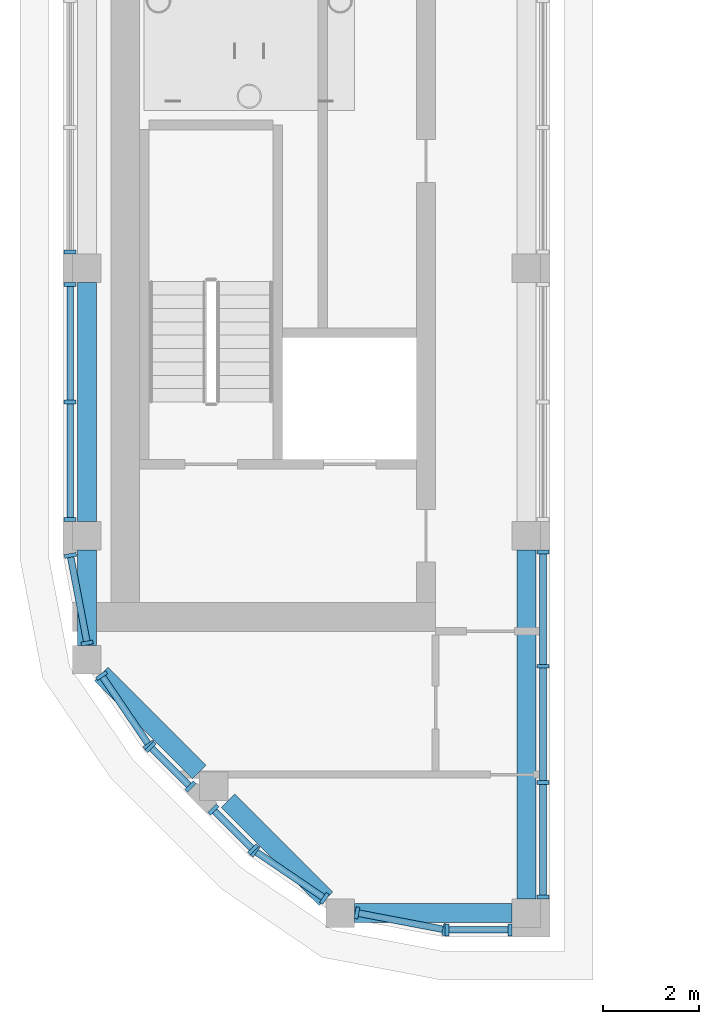
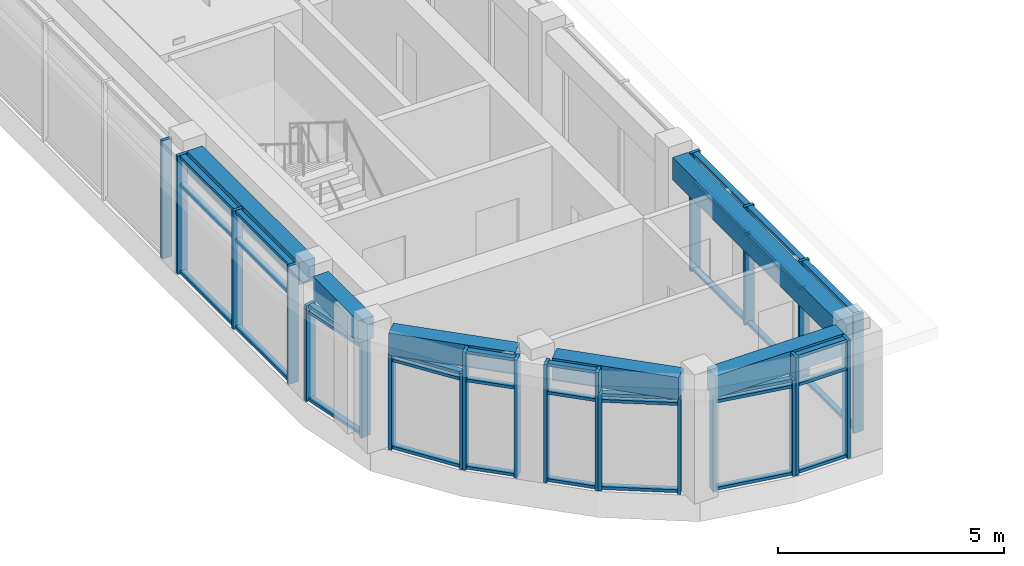
# One storey, part 2 of 16: 58 members, 6 beams, 10 elements without a shape of their own.
"""IFC4 building model written with IfcOpenShell, lengths in metres."""

from ifc_helpers import new_model, si_unit, direction, frame, origin, origin_2d, place, context, subcontext, project, spatial, rectangle, extrude, material, layer, layer_set, material_profile, profile_set, type_object, element, aggregate, save


model = new_model("IFC4")

# Units and contexts
model_context = context("Model", 3, precision=1e-05, world=origin(), true_north=direction((0.0, 1.0)))
body_context = subcontext(model_context, "Body", "Model", "MODEL_VIEW")
ifc_project = project(units=[si_unit("LENGTHUNIT", "METRE"), si_unit("AREAUNIT", "SQUARE_METRE"), si_unit("VOLUMEUNIT", "CUBIC_METRE"), si_unit("PLANEANGLEUNIT", "RADIAN"), si_unit("MASSUNIT", "GRAM", prefix="KILO")], contexts=[model_context])

# Site, building, storey
site_placement = place(None, origin())
site = spatial("IfcSite", under=ifc_project, at=site_placement, CompositionType="ELEMENT")
building_placement = place(site_placement, origin())
building = spatial("IfcBuilding", under=site, at=building_placement, Name="Kiln Ring Residences", CompositionType="ELEMENT")
storey_placement = place(building_placement, frame((0.0, 0.0, 313.89990234375)))
storey = spatial("IfcBuildingStorey", under=building, at=storey_placement, Name="L81 Crown", CompositionType="ELEMENT", Elevation=313.89990234375)

# Curtain wall, members
ifc_material_1 = material(Name="Aluminium and glass", Category="aluminium")
ifc_layer = layer(ifc_material_1, 0.25)
ifc_layer_set = layer_set([ifc_layer], Name="CW4 CURTAIN WALL")
curtain_wall_type = type_object("IfcCurtainWallType", Name="CW4 CURTAIN WALL", PredefinedType="NOTDEFINED", material=ifc_layer_set)
placement = place(storey_placement, origin())
curtain_wall_1 = element("IfcCurtainWall", 1, at=placement, inside=storey, type_object=curtain_wall_type, Name="Curtain wall CW4 L81 Crown", PredefinedType="NOTDEFINED")
ifc_material_2 = material(Name="Aluminium 6063-T6", Category="aluminium")
ifc_material_profile_1 = material_profile(ifc_material_2, rectangle(XDim=0.25, YDim=0.080078125, at=origin_2d()), Name="AL 250x80")
ifc_profile_set_1 = profile_set([ifc_material_profile_1], Name="Aluminium 6063-T6")
member_type_1 = type_object("IfcMemberType", Name="CW4 MULLION 250 x 80", PredefinedType="MULLION", material=ifc_profile_set_1)
member_1_placement = place(storey_placement, frame((-21.1796875, -17.80126953125, 0.0), z_axis=(0.0, 0.0, 1.0), x_axis=(0.56209665125, 0.827071553527, 0.0)))
member_1 = element("IfcMember", 2, at=member_1_placement, type_object=member_type_1, Name="CW4 mullion 1", PredefinedType="MULLION", context=body_context, shape_type="SweptSolid", body=[
    extrude(rectangle(XDim=0.25, YDim=0.080078125, at=origin_2d()), origin(), (0.0, 0.0, 1.0), 2.60009765625),
])
member_2_placement = place(storey_placement, frame((-19.72607421875, -18.789306640625, 0.0), z_axis=(0.0, 0.0, 1.0), x_axis=(0.56209665125, 0.827071553527, 0.0)))
member_2 = element("IfcMember", 3, at=member_2_placement, type_object=member_type_1, Name="CW4 mullion 2", PredefinedType="MULLION", context=body_context, shape_type="SweptSolid", body=[
    extrude(rectangle(XDim=0.25, YDim=0.080078125, at=origin_2d()), origin(), (0.0, 0.0, 1.0), 2.60009765625),
])

curtain_wall_2 = element("IfcCurtainWall", 4, at=placement, inside=storey, type_object=curtain_wall_type, Name="Curtain wall CW4 L81 Crown", PredefinedType="NOTDEFINED")
member_3_placement = place(storey_placement, frame((-19.0458984375, -19.09521484375, 0.0), z_axis=(0.0, 0.0, 1.0), x_axis=(0.187365550399, 0.982290257777, 0.0)))
member_3 = element("IfcMember", 5, at=member_3_placement, type_object=member_type_1, Name="CW4 mullion 1", PredefinedType="MULLION", context=body_context, shape_type="SweptSolid", body=[
    extrude(rectangle(XDim=0.25, YDim=0.080078125, at=origin_2d()), origin(), (0.0, 0.0, 1.0), 2.60009765625),
])
member_4_placement = place(storey_placement, frame((-17.211181640625, -19.445068359375, 0.0), z_axis=(0.0, 0.0, 1.0), x_axis=(0.187365550399, 0.982290257777, 0.0)))
member_4 = element("IfcMember", 6, at=member_4_placement, type_object=member_type_1, Name="CW4 mullion 2", PredefinedType="MULLION", context=body_context, shape_type="SweptSolid", body=[
    extrude(rectangle(XDim=0.25, YDim=0.080078125, at=origin_2d()), origin(), (0.0, 0.0, 1.0), 2.60009765625),
])

curtain_wall_3 = element("IfcCurtainWall", 7, at=placement, inside=storey, type_object=curtain_wall_type, Name="Curtain wall CW4 L81 Crown", PredefinedType="NOTDEFINED")
member_5_placement = place(storey_placement, frame((-17.159912109375, -19.449951171875, 0.0), z_axis=(0.0, 0.0, 1.0), x_axis=(0.0, 1.0, 0.0)))
member_5 = element("IfcMember", 8, at=member_5_placement, type_object=member_type_1, Name="CW4 mullion 1", PredefinedType="MULLION", context=body_context, shape_type="SweptSolid", body=[
    extrude(rectangle(XDim=0.25, YDim=0.080078125, at=origin_2d()), origin(), (0.0, 0.0, 1.0), 3.2001953125),
])
member_6_placement = place(storey_placement, frame((-15.840087890625, -19.449951171875, 0.0), z_axis=(0.0, 0.0, 1.0), x_axis=(0.0, 1.0, 0.0)))
member_6 = element("IfcMember", 9, at=member_6_placement, type_object=member_type_1, Name="CW4 mullion 2", PredefinedType="MULLION", context=body_context, shape_type="SweptSolid", body=[
    extrude(rectangle(XDim=0.25, YDim=0.080078125, at=origin_2d()), origin(), (0.0, 0.0, 1.0), 3.2001953125),
])

curtain_wall_4 = element("IfcCurtainWall", 10, at=placement, inside=storey, type_object=curtain_wall_type, Name="Curtain wall CW4 L81 Crown", PredefinedType="NOTDEFINED")
member_7_placement = place(storey_placement, frame((-15.14990234375, -18.760009765625, 0.0), z_axis=(0.0, 0.0, 1.0), x_axis=(-1.0, 0.0, 0.0)))
member_7 = element("IfcMember", 11, at=member_7_placement, type_object=member_type_1, Name="CW4 mullion 1", PredefinedType="MULLION", context=body_context, shape_type="SweptSolid", body=[
    extrude(rectangle(XDim=0.25, YDim=0.080078125, at=origin_2d()), origin(), (0.0, 0.0, 1.0), 3.2001953125),
])
member_8_placement = place(storey_placement, frame((-15.14990234375, -16.36669921875, 0.0), z_axis=(0.0, 0.0, 1.0), x_axis=(-1.0, 0.0, 0.0)))
member_8 = element("IfcMember", 12, at=member_8_placement, type_object=member_type_1, Name="CW4 mullion 2", PredefinedType="MULLION", context=body_context, shape_type="SweptSolid", body=[
    extrude(rectangle(XDim=0.25, YDim=0.080078125, at=origin_2d()), origin(), (0.0, 0.0, 1.0), 3.2001953125),
])
member_9_placement = place(storey_placement, frame((-15.14990234375, -13.933349609375, 0.0), z_axis=(0.0, 0.0, 1.0), x_axis=(-1.0, 0.0, 0.0)))
member_9 = element("IfcMember", 13, at=member_9_placement, type_object=member_type_1, Name="CW4 mullion 3", PredefinedType="MULLION", context=body_context, shape_type="SweptSolid", body=[
    extrude(rectangle(XDim=0.25, YDim=0.080078125, at=origin_2d()), origin(), (0.0, 0.0, 1.0), 3.2001953125),
])
member_10_placement = place(storey_placement, frame((-15.14990234375, -11.5400390625, 0.0), z_axis=(0.0, 0.0, 1.0), x_axis=(-1.0, 0.0, 0.0)))
member_10 = element("IfcMember", 14, at=member_10_placement, type_object=member_type_1, Name="CW4 mullion 4", PredefinedType="MULLION", context=body_context, shape_type="SweptSolid", body=[
    extrude(rectangle(XDim=0.25, YDim=0.080078125, at=origin_2d()), origin(), (0.0, 0.0, 1.0), 3.2001953125),
])

# Curtain wall, member
curtain_wall_5 = element("IfcCurtainWall", 15, at=placement, inside=storey, type_object=curtain_wall_type, Name="Curtain wall CW4 L81 Crown", PredefinedType="NOTDEFINED")
member_11_placement = place(storey_placement, frame((-25.050048828125, -5.260009765625, 0.0), z_axis=(0.0, 0.0, 1.0), x_axis=(1.0, 0.0, 0.0)))
member_11 = element("IfcMember", 16, at=member_11_placement, type_object=member_type_1, Name="CW4 mullion 5", PredefinedType="MULLION", context=body_context, shape_type="SweptSolid", body=[
    extrude(rectangle(XDim=0.25, YDim=0.080078125, at=origin_2d()), origin(), (0.0, 0.0, 1.0), 3.2001953125),
])
aggregate(curtain_wall_5, [member_11])

# Curtain wall, members
curtain_wall_6 = element("IfcCurtainWall", 17, at=placement, inside=storey, type_object=curtain_wall_type, Name="Curtain wall CW4 L81 Crown", PredefinedType="NOTDEFINED")
member_12_placement = place(storey_placement, frame((-25.050048828125, -5.93994140625, 0.0), z_axis=(0.0, 0.0, 1.0), x_axis=(1.0, 0.0, 0.0)))
member_12 = element("IfcMember", 18, at=member_12_placement, type_object=member_type_1, Name="CW4 mullion 1", PredefinedType="MULLION", context=body_context, shape_type="SweptSolid", body=[
    extrude(rectangle(XDim=0.25, YDim=0.080078125, at=origin_2d()), origin(), (0.0, 0.0, 1.0), 3.2001953125),
])
member_13_placement = place(storey_placement, frame((-25.050048828125, -8.39990234375, 0.0), z_axis=(0.0, 0.0, 1.0), x_axis=(1.0, 0.0, 0.0)))
member_13 = element("IfcMember", 19, at=member_13_placement, type_object=member_type_1, Name="CW4 mullion 2", PredefinedType="MULLION", context=body_context, shape_type="SweptSolid", body=[
    extrude(rectangle(XDim=0.25, YDim=0.080078125, at=origin_2d()), origin(), (0.0, 0.0, 1.0), 3.2001953125),
])
member_14_placement = place(storey_placement, frame((-25.050048828125, -10.860107421875, 0.0), z_axis=(0.0, 0.0, 1.0), x_axis=(1.0, 0.0, 0.0)))
member_14 = element("IfcMember", 20, at=member_14_placement, type_object=member_type_1, Name="CW4 mullion 3", PredefinedType="MULLION", context=body_context, shape_type="SweptSolid", body=[
    extrude(rectangle(XDim=0.25, YDim=0.080078125, at=origin_2d()), origin(), (0.0, 0.0, 1.0), 3.2001953125),
])

curtain_wall_7 = element("IfcCurtainWall", 21, at=placement, inside=storey, type_object=curtain_wall_type, Name="Curtain wall CW4 L81 Crown", PredefinedType="NOTDEFINED")
member_15_placement = place(storey_placement, frame((-25.044921875, -11.612060546875, 0.0), z_axis=(0.0, 0.0, 1.0), x_axis=(0.982290257774, 0.187365550416, 0.0)))
member_15 = element("IfcMember", 22, at=member_15_placement, type_object=member_type_1, Name="CW4 mullion 1", PredefinedType="MULLION", context=body_context, shape_type="SweptSolid", body=[
    extrude(rectangle(XDim=0.25, YDim=0.080078125, at=origin_2d()), origin(), (0.0, 0.0, 1.0), 2.60009765625),
])
member_16_placement = place(storey_placement, frame((-24.6953125, -13.44580078125, 0.0), z_axis=(0.0, 0.0, 1.0), x_axis=(0.982290257774, 0.187365550416, 0.0)))
member_16 = element("IfcMember", 23, at=member_16_placement, type_object=member_type_1, Name="CW4 mullion 2", PredefinedType="MULLION", context=body_context, shape_type="SweptSolid", body=[
    extrude(rectangle(XDim=0.25, YDim=0.080078125, at=origin_2d()), origin(), (0.0, 0.0, 1.0), 2.60009765625),
])

curtain_wall_8 = element("IfcCurtainWall", 24, at=placement, inside=storey, type_object=curtain_wall_type, Name="Curtain wall CW4 L81 Crown", PredefinedType="NOTDEFINED")
member_17_placement = place(storey_placement, frame((-24.389404296875, -14.1259765625, 0.0), z_axis=(0.0, 0.0, 1.0), x_axis=(0.827071553527, 0.56209665125, 0.0)))
member_17 = element("IfcMember", 25, at=member_17_placement, type_object=member_type_1, Name="CW4 mullion 1", PredefinedType="MULLION", context=body_context, shape_type="SweptSolid", body=[
    extrude(rectangle(XDim=0.25, YDim=0.080078125, at=origin_2d()), origin(), (0.0, 0.0, 1.0), 2.60009765625),
])
member_18_placement = place(storey_placement, frame((-23.4013671875, -15.57958984375, 0.0), z_axis=(0.0, 0.0, 1.0), x_axis=(0.827071553527, 0.56209665125, 0.0)))
member_18 = element("IfcMember", 26, at=member_18_placement, type_object=member_type_1, Name="CW4 mullion 2", PredefinedType="MULLION", context=body_context, shape_type="SweptSolid", body=[
    extrude(rectangle(XDim=0.25, YDim=0.080078125, at=origin_2d()), origin(), (0.0, 0.0, 1.0), 2.60009765625),
])

curtain_wall_9 = element("IfcCurtainWall", 27, at=placement, inside=storey, type_object=curtain_wall_type, Name="Curtain wall CW4 L81 Crown", PredefinedType="NOTDEFINED")
member_19_placement = place(storey_placement, frame((-23.36865234375, -15.619384765625, 0.0), z_axis=(0.0, 0.0, 1.0), x_axis=(0.707106780792, 0.707106781581, 0.0)))
member_19 = element("IfcMember", 28, at=member_19_placement, type_object=member_type_1, Name="CW4 mullion 1", PredefinedType="MULLION", context=body_context, shape_type="SweptSolid", body=[
    extrude(rectangle(XDim=0.25, YDim=0.080078125, at=origin_2d()), origin(), (0.0, 0.0, 1.0), 3.2001953125),
])
member_20_placement = place(storey_placement, frame((-22.534423828125, -16.45361328125, 0.0), z_axis=(0.0, 0.0, 1.0), x_axis=(0.707106780792, 0.707106781581, 0.0)))
member_20 = element("IfcMember", 29, at=member_20_placement, type_object=member_type_1, Name="CW4 mullion 2", PredefinedType="MULLION", context=body_context, shape_type="SweptSolid", body=[
    extrude(rectangle(XDim=0.25, YDim=0.080078125, at=origin_2d()), origin(), (0.0, 0.0, 1.0), 3.2001953125),
])

curtain_wall_10 = element("IfcCurtainWall", 30, at=placement, inside=storey, type_object=curtain_wall_type, Name="Curtain wall CW4 L81 Crown", PredefinedType="NOTDEFINED")
member_21_placement = place(storey_placement, frame((-22.053466796875, -16.934326171875, 0.0), z_axis=(0.0, 0.0, 1.0), x_axis=(0.707106781581, 0.707106780792, 0.0)))
member_21 = element("IfcMember", 31, at=member_21_placement, type_object=member_type_1, Name="CW4 mullion 1", PredefinedType="MULLION", context=body_context, shape_type="SweptSolid", body=[
    extrude(rectangle(XDim=0.25, YDim=0.080078125, at=origin_2d()), origin(), (0.0, 0.0, 1.0), 3.2001953125),
])
member_22_placement = place(storey_placement, frame((-21.21923828125, -17.7685546875, 0.0), z_axis=(0.0, 0.0, 1.0), x_axis=(0.707106781581, 0.707106780792, 0.0)))
member_22 = element("IfcMember", 32, at=member_22_placement, type_object=member_type_1, Name="CW4 mullion 2", PredefinedType="MULLION", context=body_context, shape_type="SweptSolid", body=[
    extrude(rectangle(XDim=0.25, YDim=0.080078125, at=origin_2d()), origin(), (0.0, 0.0, 1.0), 3.2001953125),
])

# Member
ifc_material_3 = material(Name="Aluminium 6063-T6", Category="aluminium")
ifc_material_profile_2 = material_profile(ifc_material_3, rectangle(XDim=0.139892578125, YDim=0.080078125, at=origin_2d()), Name="AL 140x80")
ifc_profile_set_2 = profile_set([ifc_material_profile_2], Name="Aluminium 6063-T6")
member_type_2 = type_object("IfcMemberType", Name="CW4 TRANSOM 140 x 80", PredefinedType="USERDEFINED", material=ifc_profile_set_2)
member_23_placement = place(storey_placement, frame((-21.146484375, -17.82373046875, 0.0400390625), z_axis=(0.827023931532, -0.562166716085, 0.0), x_axis=(0.562166716085, 0.827023931532, 0.0)))
member_23 = element("IfcMember", 33, at=member_23_placement, type_object=member_type_2, Name="CW4 transom 1.1", ObjectType="TRANSOM", PredefinedType="USERDEFINED", context=body_context, shape_type="SweptSolid", body=[
    extrude(rectangle(XDim=0.139892578125, YDim=0.080078125, at=origin_2d()), origin(), (0.0, 0.0, 1.0), 1.677734375),
])

member_24_placement = place(storey_placement, frame((-21.146484375, -17.82373046875, 2.400146484375), z_axis=(0.827023931532, -0.562166716085, 0.0), x_axis=(0.562166716085, 0.827023931532, 0.0)))
member_24 = element("IfcMember", 34, at=member_24_placement, type_object=member_type_2, Name="CW4 transom 1.2", ObjectType="TRANSOM", PredefinedType="USERDEFINED", context=body_context, shape_type="SweptSolid", body=[
    extrude(rectangle(XDim=0.139892578125, YDim=0.080078125, at=origin_2d()), origin(), (0.0, 0.0, 1.0), 1.677734375),
])

member_25_placement = place(storey_placement, frame((-21.146484375, -17.82373046875, 2.56005859375), z_axis=(0.827023931532, -0.562166716085, 0.0), x_axis=(0.562166716085, 0.827023931532, 0.0)))
member_25 = element("IfcMember", 35, at=member_25_placement, type_object=member_type_2, Name="CW4 transom 1.3", ObjectType="TRANSOM", PredefinedType="USERDEFINED", context=body_context, shape_type="SweptSolid", body=[
    extrude(rectangle(XDim=0.139892578125, YDim=0.080078125, at=origin_2d()), origin(), (0.0, 0.0, 1.0), 1.677734375),
])

aggregate(curtain_wall_1, [member_1, member_2, member_23, member_24, member_25])

member_26_placement = place(storey_placement, frame((-19.006591796875, -19.102783203125, 0.0400390625), z_axis=(0.982290722699, -0.187363112963, 0.0), x_axis=(0.187363112963, 0.982290722699, 0.0)))
member_26 = element("IfcMember", 36, at=member_26_placement, type_object=member_type_2, Name="CW4 transom 1.1", ObjectType="TRANSOM", PredefinedType="USERDEFINED", context=body_context, shape_type="SweptSolid", body=[
    extrude(rectangle(XDim=0.139892578125, YDim=0.080078125, at=origin_2d()), origin(), (0.0, 0.0, 1.0), 1.787841796875),
])

member_27_placement = place(storey_placement, frame((-19.006591796875, -19.102783203125, 2.400146484375), z_axis=(0.982290722699, -0.187363112963, 0.0), x_axis=(0.187363112963, 0.982290722699, 0.0)))
member_27 = element("IfcMember", 37, at=member_27_placement, type_object=member_type_2, Name="CW4 transom 1.2", ObjectType="TRANSOM", PredefinedType="USERDEFINED", context=body_context, shape_type="SweptSolid", body=[
    extrude(rectangle(XDim=0.139892578125, YDim=0.080078125, at=origin_2d()), origin(), (0.0, 0.0, 1.0), 1.787841796875),
])

member_28_placement = place(storey_placement, frame((-19.006591796875, -19.102783203125, 2.56005859375), z_axis=(0.982290722699, -0.187363112963, 0.0), x_axis=(0.187363112963, 0.982290722699, 0.0)))
member_28 = element("IfcMember", 38, at=member_28_placement, type_object=member_type_2, Name="CW4 transom 1.3", ObjectType="TRANSOM", PredefinedType="USERDEFINED", context=body_context, shape_type="SweptSolid", body=[
    extrude(rectangle(XDim=0.139892578125, YDim=0.080078125, at=origin_2d()), origin(), (0.0, 0.0, 1.0), 1.787841796875),
])

aggregate(curtain_wall_2, [member_3, member_4, member_26, member_27, member_28])

member_29_placement = place(storey_placement, frame((-17.1201171875, -19.449951171875, 0.0400390625), z_axis=(1.0, 0.0, 0.0), x_axis=(0.0, 1.0, 0.0)))
member_29 = element("IfcMember", 39, at=member_29_placement, type_object=member_type_2, Name="CW4 transom 1.1", ObjectType="TRANSOM", PredefinedType="USERDEFINED", context=body_context, shape_type="SweptSolid", body=[
    extrude(rectangle(XDim=0.139892578125, YDim=0.080078125, at=origin_2d()), origin(), (0.0, 0.0, 1.0), 1.240234375),
])

member_30_placement = place(storey_placement, frame((-17.1201171875, -19.449951171875, 2.400146484375), z_axis=(1.0, 0.0, 0.0), x_axis=(0.0, 1.0, 0.0)))
member_30 = element("IfcMember", 40, at=member_30_placement, type_object=member_type_2, Name="CW4 transom 1.2", ObjectType="TRANSOM", PredefinedType="USERDEFINED", context=body_context, shape_type="SweptSolid", body=[
    extrude(rectangle(XDim=0.139892578125, YDim=0.080078125, at=origin_2d()), origin(), (0.0, 0.0, 1.0), 1.240234375),
])

member_31_placement = place(storey_placement, frame((-17.1201171875, -19.449951171875, 3.16015625), z_axis=(1.0, 0.0, 0.0), x_axis=(0.0, 1.0, 0.0)))
member_31 = element("IfcMember", 41, at=member_31_placement, type_object=member_type_2, Name="CW4 transom 1.3", ObjectType="TRANSOM", PredefinedType="USERDEFINED", context=body_context, shape_type="SweptSolid", body=[
    extrude(rectangle(XDim=0.139892578125, YDim=0.080078125, at=origin_2d()), origin(), (0.0, 0.0, 1.0), 1.240234375),
])

aggregate(curtain_wall_3, [member_5, member_6, member_29, member_30, member_31])

member_32_placement = place(storey_placement, frame((-15.14990234375, -18.719970703125, 0.0400390625), z_axis=(0.0, 1.0, 0.0), x_axis=(-1.0, 0.0, 0.0)))
member_32 = element("IfcMember", 42, at=member_32_placement, type_object=member_type_2, Name="CW4 transom 1.1", ObjectType="TRANSOM", PredefinedType="USERDEFINED", context=body_context, shape_type="SweptSolid", body=[
    extrude(rectangle(XDim=0.139892578125, YDim=0.080078125, at=origin_2d()), origin(), (0.0, 0.0, 1.0), 2.313232421875),
])

member_33_placement = place(storey_placement, frame((-15.14990234375, -18.719970703125, 2.400146484375), z_axis=(0.0, 1.0, 0.0), x_axis=(-1.0, 0.0, 0.0)))
member_33 = element("IfcMember", 43, at=member_33_placement, type_object=member_type_2, Name="CW4 transom 1.2", ObjectType="TRANSOM", PredefinedType="USERDEFINED", context=body_context, shape_type="SweptSolid", body=[
    extrude(rectangle(XDim=0.139892578125, YDim=0.080078125, at=origin_2d()), origin(), (0.0, 0.0, 1.0), 2.313232421875),
])

member_34_placement = place(storey_placement, frame((-15.14990234375, -18.719970703125, 3.16015625), z_axis=(0.0, 1.0, 0.0), x_axis=(-1.0, 0.0, 0.0)))
member_34 = element("IfcMember", 44, at=member_34_placement, type_object=member_type_2, Name="CW4 transom 1.3", ObjectType="TRANSOM", PredefinedType="USERDEFINED", context=body_context, shape_type="SweptSolid", body=[
    extrude(rectangle(XDim=0.139892578125, YDim=0.080078125, at=origin_2d()), origin(), (0.0, 0.0, 1.0), 2.313232421875),
])

member_35_placement = place(storey_placement, frame((-15.14990234375, -16.32666015625, 0.0400390625), z_axis=(0.0, 1.0, 0.0), x_axis=(-1.0, 0.0, 0.0)))
member_35 = element("IfcMember", 45, at=member_35_placement, type_object=member_type_2, Name="CW4 transom 2.1", ObjectType="TRANSOM", PredefinedType="USERDEFINED", context=body_context, shape_type="SweptSolid", body=[
    extrude(rectangle(XDim=0.139892578125, YDim=0.080078125, at=origin_2d()), origin(), (0.0, 0.0, 1.0), 2.353271484375),
])

member_36_placement = place(storey_placement, frame((-15.14990234375, -16.32666015625, 2.400146484375), z_axis=(0.0, 1.0, 0.0), x_axis=(-1.0, 0.0, 0.0)))
member_36 = element("IfcMember", 46, at=member_36_placement, type_object=member_type_2, Name="CW4 transom 2.2", ObjectType="TRANSOM", PredefinedType="USERDEFINED", context=body_context, shape_type="SweptSolid", body=[
    extrude(rectangle(XDim=0.139892578125, YDim=0.080078125, at=origin_2d()), origin(), (0.0, 0.0, 1.0), 2.353271484375),
])

member_37_placement = place(storey_placement, frame((-15.14990234375, -16.32666015625, 3.16015625), z_axis=(0.0, 1.0, 0.0), x_axis=(-1.0, 0.0, 0.0)))
member_37 = element("IfcMember", 47, at=member_37_placement, type_object=member_type_2, Name="CW4 transom 2.3", ObjectType="TRANSOM", PredefinedType="USERDEFINED", context=body_context, shape_type="SweptSolid", body=[
    extrude(rectangle(XDim=0.139892578125, YDim=0.080078125, at=origin_2d()), origin(), (0.0, 0.0, 1.0), 2.353271484375),
])

member_38_placement = place(storey_placement, frame((-15.14990234375, -13.893310546875, 0.0400390625), z_axis=(0.0, 1.0, 0.0), x_axis=(-1.0, 0.0, 0.0)))
member_38 = element("IfcMember", 48, at=member_38_placement, type_object=member_type_2, Name="CW4 transom 3.1", ObjectType="TRANSOM", PredefinedType="USERDEFINED", context=body_context, shape_type="SweptSolid", body=[
    extrude(rectangle(XDim=0.139892578125, YDim=0.080078125, at=origin_2d()), origin(), (0.0, 0.0, 1.0), 2.313232421875),
])

member_39_placement = place(storey_placement, frame((-15.14990234375, -13.893310546875, 2.400146484375), z_axis=(0.0, 1.0, 0.0), x_axis=(-1.0, 0.0, 0.0)))
member_39 = element("IfcMember", 49, at=member_39_placement, type_object=member_type_2, Name="CW4 transom 3.2", ObjectType="TRANSOM", PredefinedType="USERDEFINED", context=body_context, shape_type="SweptSolid", body=[
    extrude(rectangle(XDim=0.139892578125, YDim=0.080078125, at=origin_2d()), origin(), (0.0, 0.0, 1.0), 2.313232421875),
])

member_40_placement = place(storey_placement, frame((-15.14990234375, -13.893310546875, 3.16015625), z_axis=(0.0, 1.0, 0.0), x_axis=(-1.0, 0.0, 0.0)))
member_40 = element("IfcMember", 50, at=member_40_placement, type_object=member_type_2, Name="CW4 transom 3.3", ObjectType="TRANSOM", PredefinedType="USERDEFINED", context=body_context, shape_type="SweptSolid", body=[
    extrude(rectangle(XDim=0.139892578125, YDim=0.080078125, at=origin_2d()), origin(), (0.0, 0.0, 1.0), 2.313232421875),
])

aggregate(curtain_wall_4, [member_7, member_8, member_9, member_10, member_32, member_33, member_34, member_35, member_36, member_37, member_38, member_39, member_40])

member_41_placement = place(storey_placement, frame((-25.050048828125, -5.97998046875, 0.0400390625), z_axis=(0.0, -1.0, 0.0), x_axis=(1.0, 0.0, 0.0)))
member_41 = element("IfcMember", 51, at=member_41_placement, type_object=member_type_2, Name="CW4 transom 1.1", ObjectType="TRANSOM", PredefinedType="USERDEFINED", context=body_context, shape_type="SweptSolid", body=[
    extrude(rectangle(XDim=0.139892578125, YDim=0.080078125, at=origin_2d()), origin(), (0.0, 0.0, 1.0), 2.380126953125),
])

member_42_placement = place(storey_placement, frame((-25.050048828125, -5.97998046875, 2.400146484375), z_axis=(0.0, -1.0, 0.0), x_axis=(1.0, 0.0, 0.0)))
member_42 = element("IfcMember", 52, at=member_42_placement, type_object=member_type_2, Name="CW4 transom 1.2", ObjectType="TRANSOM", PredefinedType="USERDEFINED", context=body_context, shape_type="SweptSolid", body=[
    extrude(rectangle(XDim=0.139892578125, YDim=0.080078125, at=origin_2d()), origin(), (0.0, 0.0, 1.0), 2.380126953125),
])

member_43_placement = place(storey_placement, frame((-25.050048828125, -5.97998046875, 3.16015625), z_axis=(0.0, -1.0, 0.0), x_axis=(1.0, 0.0, 0.0)))
member_43 = element("IfcMember", 53, at=member_43_placement, type_object=member_type_2, Name="CW4 transom 1.3", ObjectType="TRANSOM", PredefinedType="USERDEFINED", context=body_context, shape_type="SweptSolid", body=[
    extrude(rectangle(XDim=0.139892578125, YDim=0.080078125, at=origin_2d()), origin(), (0.0, 0.0, 1.0), 2.380126953125),
])

member_44_placement = place(storey_placement, frame((-25.050048828125, -8.43994140625, 0.0400390625), z_axis=(0.0, -1.0, 0.0), x_axis=(1.0, 0.0, 0.0)))
member_44 = element("IfcMember", 54, at=member_44_placement, type_object=member_type_2, Name="CW4 transom 2.1", ObjectType="TRANSOM", PredefinedType="USERDEFINED", context=body_context, shape_type="SweptSolid", body=[
    extrude(rectangle(XDim=0.139892578125, YDim=0.080078125, at=origin_2d()), origin(), (0.0, 0.0, 1.0), 2.380126953125),
])

member_45_placement = place(storey_placement, frame((-25.050048828125, -8.43994140625, 2.400146484375), z_axis=(0.0, -1.0, 0.0), x_axis=(1.0, 0.0, 0.0)))
member_45 = element("IfcMember", 55, at=member_45_placement, type_object=member_type_2, Name="CW4 transom 2.2", ObjectType="TRANSOM", PredefinedType="USERDEFINED", context=body_context, shape_type="SweptSolid", body=[
    extrude(rectangle(XDim=0.139892578125, YDim=0.080078125, at=origin_2d()), origin(), (0.0, 0.0, 1.0), 2.380126953125),
])

member_46_placement = place(storey_placement, frame((-25.050048828125, -8.43994140625, 3.16015625), z_axis=(0.0, -1.0, 0.0), x_axis=(1.0, 0.0, 0.0)))
member_46 = element("IfcMember", 56, at=member_46_placement, type_object=member_type_2, Name="CW4 transom 2.3", ObjectType="TRANSOM", PredefinedType="USERDEFINED", context=body_context, shape_type="SweptSolid", body=[
    extrude(rectangle(XDim=0.139892578125, YDim=0.080078125, at=origin_2d()), origin(), (0.0, 0.0, 1.0), 2.380126953125),
])

aggregate(curtain_wall_6, [member_12, member_13, member_14, member_41, member_42, member_43, member_44, member_45, member_46])

member_47_placement = place(storey_placement, frame((-25.03759765625, -11.651123046875, 0.0400390625), z_axis=(0.187438543465, -0.982276332008, 0.0), x_axis=(0.982276332008, 0.187438543465, 0.0)))
member_47 = element("IfcMember", 57, at=member_47_placement, type_object=member_type_2, Name="CW4 transom 1.1", ObjectType="TRANSOM", PredefinedType="USERDEFINED", context=body_context, shape_type="SweptSolid", body=[
    extrude(rectangle(XDim=0.139892578125, YDim=0.080078125, at=origin_2d()), origin(), (0.0, 0.0, 1.0), 1.787109375),
])

member_48_placement = place(storey_placement, frame((-25.03759765625, -11.651123046875, 2.400146484375), z_axis=(0.187438543465, -0.982276332008, 0.0), x_axis=(0.982276332008, 0.187438543465, 0.0)))
member_48 = element("IfcMember", 58, at=member_48_placement, type_object=member_type_2, Name="CW4 transom 1.2", ObjectType="TRANSOM", PredefinedType="USERDEFINED", context=body_context, shape_type="SweptSolid", body=[
    extrude(rectangle(XDim=0.139892578125, YDim=0.080078125, at=origin_2d()), origin(), (0.0, 0.0, 1.0), 1.787109375),
])

member_49_placement = place(storey_placement, frame((-25.03759765625, -11.651123046875, 2.56005859375), z_axis=(0.187438543465, -0.982276332008, 0.0), x_axis=(0.982276332008, 0.187438543465, 0.0)))
member_49 = element("IfcMember", 59, at=member_49_placement, type_object=member_type_2, Name="CW4 transom 1.3", ObjectType="TRANSOM", PredefinedType="USERDEFINED", context=body_context, shape_type="SweptSolid", body=[
    extrude(rectangle(XDim=0.139892578125, YDim=0.080078125, at=origin_2d()), origin(), (0.0, 0.0, 1.0), 1.787109375),
])

aggregate(curtain_wall_7, [member_15, member_16, member_47, member_48, member_49])

member_50_placement = place(storey_placement, frame((-24.366943359375, -14.1591796875, 0.0400390625), z_axis=(0.562166716085, -0.827023931532, 0.0), x_axis=(0.827023931532, 0.562166716085, 0.0)))
member_50 = element("IfcMember", 60, at=member_50_placement, type_object=member_type_2, Name="CW4 transom 1.1", ObjectType="TRANSOM", PredefinedType="USERDEFINED", context=body_context, shape_type="SweptSolid", body=[
    extrude(rectangle(XDim=0.139892578125, YDim=0.080078125, at=origin_2d()), origin(), (0.0, 0.0, 1.0), 1.677734375),
])

member_51_placement = place(storey_placement, frame((-24.366943359375, -14.1591796875, 2.400146484375), z_axis=(0.562166716085, -0.827023931532, 0.0), x_axis=(0.827023931532, 0.562166716085, 0.0)))
member_51 = element("IfcMember", 61, at=member_51_placement, type_object=member_type_2, Name="CW4 transom 1.2", ObjectType="TRANSOM", PredefinedType="USERDEFINED", context=body_context, shape_type="SweptSolid", body=[
    extrude(rectangle(XDim=0.139892578125, YDim=0.080078125, at=origin_2d()), origin(), (0.0, 0.0, 1.0), 1.677734375),
])

member_52_placement = place(storey_placement, frame((-24.366943359375, -14.1591796875, 2.56005859375), z_axis=(0.562166716085, -0.827023931532, 0.0), x_axis=(0.827023931532, 0.562166716085, 0.0)))
member_52 = element("IfcMember", 62, at=member_52_placement, type_object=member_type_2, Name="CW4 transom 1.3", ObjectType="TRANSOM", PredefinedType="USERDEFINED", context=body_context, shape_type="SweptSolid", body=[
    extrude(rectangle(XDim=0.139892578125, YDim=0.080078125, at=origin_2d()), origin(), (0.0, 0.0, 1.0), 1.677734375),
])

aggregate(curtain_wall_8, [member_17, member_18, member_50, member_51, member_52])

member_53_placement = place(storey_placement, frame((-23.34033203125, -15.6474609375, 0.0400390625), z_axis=(0.706995784127, -0.707217760825, 0.0), x_axis=(0.707217760825, 0.706995784127, 0.0)))
member_53 = element("IfcMember", 63, at=member_53_placement, type_object=member_type_2, Name="CW4 transom 1.1", ObjectType="TRANSOM", PredefinedType="USERDEFINED", context=body_context, shape_type="SweptSolid", body=[
    extrude(rectangle(XDim=0.139892578125, YDim=0.080078125, at=origin_2d()), origin(), (0.0, 0.0, 1.0), 1.099853515625),
])

member_54_placement = place(storey_placement, frame((-23.34033203125, -15.6474609375, 2.400146484375), z_axis=(0.706995784127, -0.707217760825, 0.0), x_axis=(0.707217760825, 0.706995784127, 0.0)))
member_54 = element("IfcMember", 64, at=member_54_placement, type_object=member_type_2, Name="CW4 transom 1.2", ObjectType="TRANSOM", PredefinedType="USERDEFINED", context=body_context, shape_type="SweptSolid", body=[
    extrude(rectangle(XDim=0.139892578125, YDim=0.080078125, at=origin_2d()), origin(), (0.0, 0.0, 1.0), 1.099853515625),
])

member_55_placement = place(storey_placement, frame((-23.34033203125, -15.6474609375, 3.16015625), z_axis=(0.706995784127, -0.707217760825, 0.0), x_axis=(0.707217760825, 0.706995784127, 0.0)))
member_55 = element("IfcMember", 65, at=member_55_placement, type_object=member_type_2, Name="CW4 transom 1.3", ObjectType="TRANSOM", PredefinedType="USERDEFINED", context=body_context, shape_type="SweptSolid", body=[
    extrude(rectangle(XDim=0.139892578125, YDim=0.080078125, at=origin_2d()), origin(), (0.0, 0.0, 1.0), 1.099853515625),
])

aggregate(curtain_wall_9, [member_19, member_20, member_53, member_54, member_55])

member_56_placement = place(storey_placement, frame((-22.025146484375, -16.962646484375, 0.0400390625), z_axis=(0.707106781187, -0.707106781187, 0.0), x_axis=(0.707106781187, 0.707106781187, 0.0)))
member_56 = element("IfcMember", 66, at=member_56_placement, type_object=member_type_2, Name="CW4 transom 1.1", ObjectType="TRANSOM", PredefinedType="USERDEFINED", context=body_context, shape_type="SweptSolid", body=[
    extrude(rectangle(XDim=0.139892578125, YDim=0.080078125, at=origin_2d()), origin(), (0.0, 0.0, 1.0), 1.099609375),
])

member_57_placement = place(storey_placement, frame((-22.025146484375, -16.962646484375, 2.400146484375), z_axis=(0.707106781187, -0.707106781187, 0.0), x_axis=(0.707106781187, 0.707106781187, 0.0)))
member_57 = element("IfcMember", 67, at=member_57_placement, type_object=member_type_2, Name="CW4 transom 1.2", ObjectType="TRANSOM", PredefinedType="USERDEFINED", context=body_context, shape_type="SweptSolid", body=[
    extrude(rectangle(XDim=0.139892578125, YDim=0.080078125, at=origin_2d()), origin(), (0.0, 0.0, 1.0), 1.099609375),
])

member_58_placement = place(storey_placement, frame((-22.025146484375, -16.962646484375, 3.16015625), z_axis=(0.707106781187, -0.707106781187, 0.0), x_axis=(0.707106781187, 0.707106781187, 0.0)))
member_58 = element("IfcMember", 68, at=member_58_placement, type_object=member_type_2, Name="CW4 transom 1.3", ObjectType="TRANSOM", PredefinedType="USERDEFINED", context=body_context, shape_type="SweptSolid", body=[
    extrude(rectangle(XDim=0.139892578125, YDim=0.080078125, at=origin_2d()), origin(), (0.0, 0.0, 1.0), 1.099609375),
])

aggregate(curtain_wall_10, [member_21, member_22, member_56, member_57, member_58])

# Beams
ifc_material_4 = material(Name="Concrete C50/60", Category="concrete")
ifc_material_profile_3 = material_profile(ifc_material_4, rectangle(XDim=0.39990234375, YDim=0.60009765625, at=origin_2d()), Name="RC400x600")
ifc_profile_set_3 = profile_set([ifc_material_profile_3], Name="Concrete C50/60")
beam_type = type_object("IfcBeamType", Name="Spandrel beam RC400x600 C50/60", PredefinedType="SPANDREL", material=ifc_profile_set_3)
beam_1_placement = place(storey_placement, frame((-24.699951171875, -5.89990234375, 2.900146484375), z_axis=(0.0, -1.0, 0.0), x_axis=(1.0, 0.0, 0.0)))
element("IfcBeam", 69, at=beam_1_placement, inside=storey, type_object=beam_type, Name="Spandrel beam L81 Crown 1", PredefinedType="SPANDREL", context=body_context, shape_type="SweptSolid", body=[
    extrude(rectangle(XDim=0.39990234375, YDim=0.60009765625, at=origin_2d()), origin(), (0.0, 0.0, 1.0), 5.0),
])
beam_2_placement = place(storey_placement, frame((-24.699951171875, -11.5, 2.900146484375), z_axis=(0.0, -1.0, 0.0), x_axis=(1.0, 0.0, 0.0)))
element("IfcBeam", 70, at=beam_2_placement, inside=storey, type_object=beam_type, Name="Spandrel beam L81 Crown 2", PredefinedType="SPANDREL", context=body_context, shape_type="SweptSolid", body=[
    extrude(rectangle(XDim=0.39990234375, YDim=0.60009765625, at=origin_2d()), origin(), (0.0, 0.0, 1.0), 1.992919921875),
])
for number, where, z_axis, x_axis, name in (
    (71, (-24.39990234375, -14.0927734375, 2.900146484375), (0.707064747792, -0.707148812083, 0.0), (0.707148812083, 0.707064747792, 0.0), "Spandrel beam L81 Crown 3"),
    (72, (-21.746337890625, -16.746337890625, 2.900146484375), (0.707064747792, -0.707148812083, 0.0), (0.707148812083, 0.707064747792, 0.0), "Spandrel beam L81 Crown 4"),
):
    element("IfcBeam", number, at=place(storey_placement, frame(where, z_axis=z_axis, x_axis=x_axis)), inside=storey, type_object=beam_type, Name=name, PredefinedType="SPANDREL", context=body_context, shape_type="SweptSolid", body=[
        extrude(rectangle(XDim=0.39990234375, YDim=0.60009765625, at=origin_2d()), origin(), (0.0, 0.0, 1.0), 2.904296875),
    ])
beam_3_placement = place(storey_placement, frame((-19.093017578125, -19.10009765625, 2.900146484375), z_axis=(1.0, 0.0, 0.0), x_axis=(0.0, 1.0, 0.0)))
element("IfcBeam", 73, at=beam_3_placement, inside=storey, type_object=beam_type, Name="Spandrel beam L81 Crown 5", PredefinedType="SPANDREL", context=body_context, shape_type="SweptSolid", body=[
    extrude(rectangle(XDim=0.39990234375, YDim=0.60009765625, at=origin_2d()), origin(), (0.0, 0.0, 1.0), 3.29296875),
])
beam_4_placement = place(storey_placement, frame((-15.5, -18.800048828125, 2.900146484375), z_axis=(0.0, 1.0, 0.0), x_axis=(-1.0, 0.0, 0.0)))
element("IfcBeam", 74, at=beam_4_placement, inside=storey, type_object=beam_type, Name="Spandrel beam L81 Crown 6", PredefinedType="SPANDREL", context=body_context, shape_type="SweptSolid", body=[
    extrude(rectangle(XDim=0.39990234375, YDim=0.60009765625, at=origin_2d()), origin(), (0.0, 0.0, 1.0), 7.300048828125),
])

save(model, "model.ifc")
